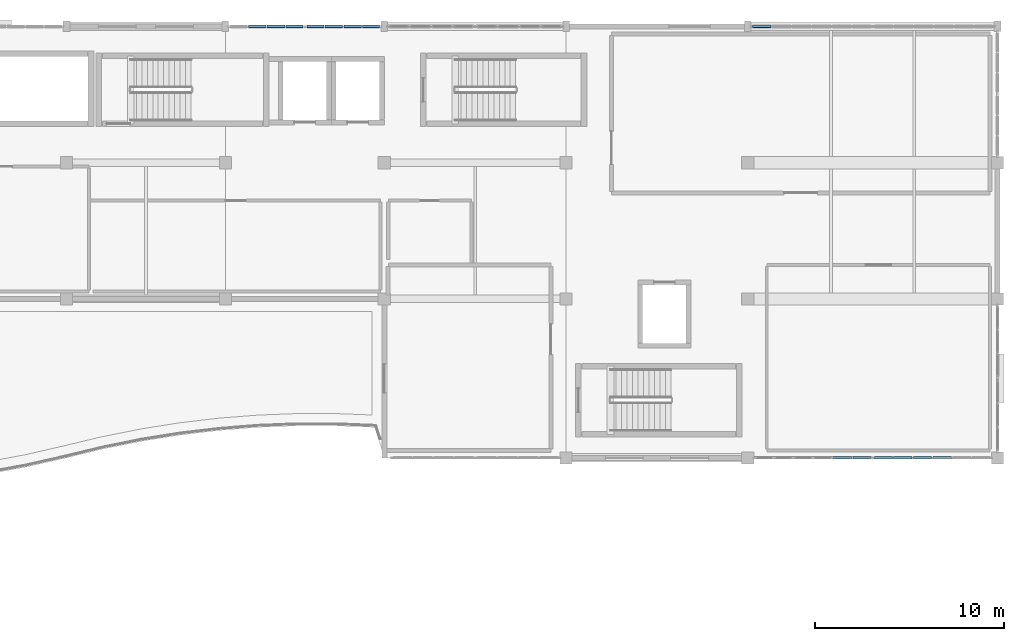
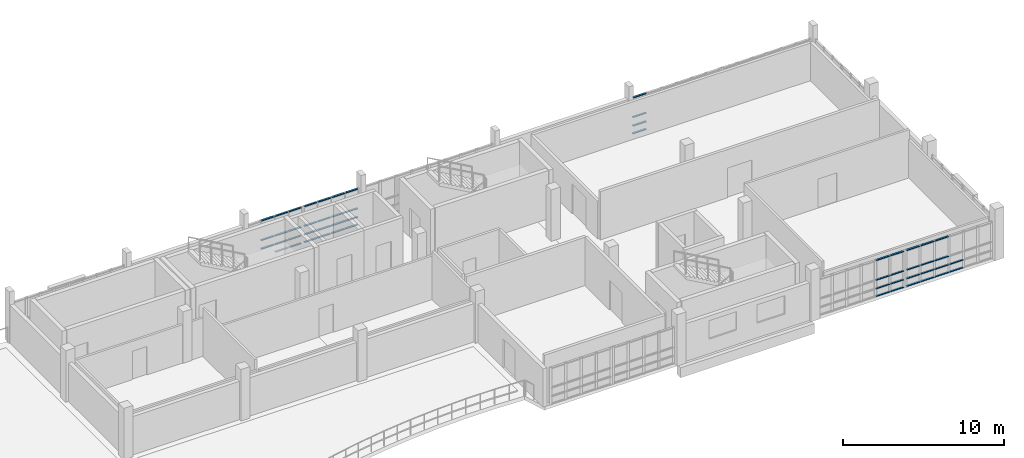
# One storey, part 15 of 25: 53 members, 5 elements without a shape of their own.
"""IFC4 building model written with IfcOpenShell, lengths in metres."""

from ifc_helpers import new_model, si_unit, direction, frame, origin, origin_2d, place, context, subcontext, project, spatial, hollow_rectangle, extrude, material, layer, layer_set, material_profile, profile_set, type_object, element, aggregate, save


model = new_model("IFC4")

# Units and contexts
model_context = context("Model", 3, precision=1e-05, world=origin(), true_north=direction((0.0, 1.0)))
body_context = subcontext(model_context, "Body", "Model", "MODEL_VIEW")
ifc_project = project(units=[si_unit("LENGTHUNIT", "METRE"), si_unit("AREAUNIT", "SQUARE_METRE"), si_unit("VOLUMEUNIT", "CUBIC_METRE"), si_unit("PLANEANGLEUNIT", "RADIAN"), si_unit("MASSUNIT", "GRAM", prefix="KILO")], contexts=[model_context])

# Site, building, storey
site_placement = place(None, origin())
site = spatial("IfcSite", under=ifc_project, at=site_placement, CompositionType="ELEMENT")
building_placement = place(site_placement, origin())
building = spatial("IfcBuilding", under=site, at=building_placement, Name="Kisaragi Civic Commons", CompositionType="ELEMENT")
storey_placement = place(building_placement, frame((0.0, 0.0, 13.5)))
storey = spatial("IfcBuildingStorey", under=building, at=storey_placement, Name="L03", CompositionType="ELEMENT", Elevation=13.5)

# Curtain wall, members
ifc_material = material(Name="Thermally broken anodized aluminium and low-E double glazing", Category="aluminium")
ifc_layer = layer(ifc_material, 0.179931640625, Name="Thermally broken anodized aluminium and low-E double glazing", Category="aluminium")
ifc_layer_set = layer_set([ifc_layer], Name="Thermally broken anodized aluminium and low-E double glazing")
curtain_wall_type = type_object("IfcCurtainWallType", Name="CW-01", PredefinedType="NOTDEFINED", material=ifc_layer_set)
curtain_wall_1_placement = place(storey_placement, origin())
curtain_wall_1 = element("IfcCurtainWall", 1, at=curtain_wall_1_placement, inside=storey, type_object=curtain_wall_type, Name="L03 curtain wall CW-01 CW-V4-L03-097", PredefinedType="NOTDEFINED")
ifc_material_profile = material_profile(ifc_material, hollow_rectangle(XDim=0.139892578125, YDim=0.06494140625, WallThickness=0.00439453125, InnerFilletRadius=0.00439453125, OuterFilletRadius=0.009033203125, at=origin_2d()), Name="CWT-65x140x4.5", Category="aluminium")
ifc_profile_set = profile_set([ifc_material_profile], Name="Thermally broken anodized aluminium and low-E double glazing")
member_type = type_object("IfcMemberType", Name="CWT-02", PredefinedType="USERDEFINED", material=ifc_profile_set)
member_1_placement = place(storey_placement, frame((106.81494140625, 118.800048828125, 0.64990234375), z_axis=(1.0, 0.0, 0.0), x_axis=(0.0, 1.0, 0.0)))
member_1 = element("IfcMember", 2, at=member_1_placement, type_object=member_type, Name="CW-01 transom 2.2", ObjectType="TRANSOM", PredefinedType="USERDEFINED", context=body_context, shape_type="SweptSolid", body=[
    extrude(hollow_rectangle(XDim=0.139892578125, YDim=0.06494140625, WallThickness=0.00439453125, InnerFilletRadius=0.00439453125, OuterFilletRadius=0.009033203125, at=origin_2d()), origin(), (0.0, 0.0, 1.0), 0.927490234375),
])
member_2_placement = place(storey_placement, frame((106.81494140625, 118.800048828125, 1.300048828125), z_axis=(1.0, 0.0, 0.0), x_axis=(0.0, 1.0, 0.0)))
member_2 = element("IfcMember", 3, at=member_2_placement, type_object=member_type, Name="CW-01 transom 2.3", ObjectType="TRANSOM", PredefinedType="USERDEFINED", context=body_context, shape_type="SweptSolid", body=[
    extrude(hollow_rectangle(XDim=0.139892578125, YDim=0.06494140625, WallThickness=0.00439453125, InnerFilletRadius=0.00439453125, OuterFilletRadius=0.009033203125, at=origin_2d()), origin(), (0.0, 0.0, 1.0), 0.927490234375),
])
member_3_placement = place(storey_placement, frame((106.81494140625, 118.800048828125, 2.784912109375), z_axis=(1.0, 0.0, 0.0), x_axis=(0.0, 1.0, 0.0)))
member_3 = element("IfcMember", 4, at=member_3_placement, type_object=member_type, Name="CW-01 transom 2.4", ObjectType="TRANSOM", PredefinedType="USERDEFINED", context=body_context, shape_type="SweptSolid", body=[
    extrude(hollow_rectangle(XDim=0.139892578125, YDim=0.06494140625, WallThickness=0.00439453125, InnerFilletRadius=0.00439453125, OuterFilletRadius=0.009033203125, at=origin_2d()), origin(), (0.0, 0.0, 1.0), 0.927490234375),
])
member_4_placement = place(storey_placement, frame((107.8076171875, 118.800048828125, 0.070068359375), z_axis=(1.0, 0.0, 0.0), x_axis=(0.0, 1.0, 0.0)))
member_4 = element("IfcMember", 5, at=member_4_placement, type_object=member_type, Name="CW-01 transom 3.1", ObjectType="TRANSOM", PredefinedType="USERDEFINED", context=body_context, shape_type="SweptSolid", body=[
    extrude(hollow_rectangle(XDim=0.139892578125, YDim=0.06494140625, WallThickness=0.00439453125, InnerFilletRadius=0.00439453125, OuterFilletRadius=0.009033203125, at=origin_2d()), origin(), (0.0, 0.0, 1.0), 0.927490234375),
])
member_5_placement = place(storey_placement, frame((107.8076171875, 118.800048828125, 0.64990234375), z_axis=(1.0, 0.0, 0.0), x_axis=(0.0, 1.0, 0.0)))
member_5 = element("IfcMember", 6, at=member_5_placement, type_object=member_type, Name="CW-01 transom 3.2", ObjectType="TRANSOM", PredefinedType="USERDEFINED", context=body_context, shape_type="SweptSolid", body=[
    extrude(hollow_rectangle(XDim=0.139892578125, YDim=0.06494140625, WallThickness=0.00439453125, InnerFilletRadius=0.00439453125, OuterFilletRadius=0.009033203125, at=origin_2d()), origin(), (0.0, 0.0, 1.0), 0.927490234375),
])
member_6_placement = place(storey_placement, frame((107.8076171875, 118.800048828125, 1.300048828125), z_axis=(1.0, 0.0, 0.0), x_axis=(0.0, 1.0, 0.0)))
member_6 = element("IfcMember", 7, at=member_6_placement, type_object=member_type, Name="CW-01 transom 3.3", ObjectType="TRANSOM", PredefinedType="USERDEFINED", context=body_context, shape_type="SweptSolid", body=[
    extrude(hollow_rectangle(XDim=0.139892578125, YDim=0.06494140625, WallThickness=0.00439453125, InnerFilletRadius=0.00439453125, OuterFilletRadius=0.009033203125, at=origin_2d()), origin(), (0.0, 0.0, 1.0), 0.927490234375),
])
member_7_placement = place(storey_placement, frame((107.8076171875, 118.800048828125, 2.784912109375), z_axis=(1.0, 0.0, 0.0), x_axis=(0.0, 1.0, 0.0)))
member_7 = element("IfcMember", 8, at=member_7_placement, type_object=member_type, Name="CW-01 transom 3.4", ObjectType="TRANSOM", PredefinedType="USERDEFINED", context=body_context, shape_type="SweptSolid", body=[
    extrude(hollow_rectangle(XDim=0.139892578125, YDim=0.06494140625, WallThickness=0.00439453125, InnerFilletRadius=0.00439453125, OuterFilletRadius=0.009033203125, at=origin_2d()), origin(), (0.0, 0.0, 1.0), 0.927490234375),
])
member_8_placement = place(storey_placement, frame((108.800048828125, 118.800048828125, 0.070068359375), z_axis=(1.0, 0.0, 0.0), x_axis=(0.0, 1.0, 0.0)))
member_8 = element("IfcMember", 9, at=member_8_placement, type_object=member_type, Name="CW-01 transom 4.1", ObjectType="TRANSOM", PredefinedType="USERDEFINED", context=body_context, shape_type="SweptSolid", body=[
    extrude(hollow_rectangle(XDim=0.139892578125, YDim=0.06494140625, WallThickness=0.00439453125, InnerFilletRadius=0.00439453125, OuterFilletRadius=0.009033203125, at=origin_2d()), origin(), (0.0, 0.0, 1.0), 0.89501953125),
])
member_9_placement = place(storey_placement, frame((108.800048828125, 118.800048828125, 0.64990234375), z_axis=(1.0, 0.0, 0.0), x_axis=(0.0, 1.0, 0.0)))
member_9 = element("IfcMember", 10, at=member_9_placement, type_object=member_type, Name="CW-01 transom 4.2", ObjectType="TRANSOM", PredefinedType="USERDEFINED", context=body_context, shape_type="SweptSolid", body=[
    extrude(hollow_rectangle(XDim=0.139892578125, YDim=0.06494140625, WallThickness=0.00439453125, InnerFilletRadius=0.00439453125, OuterFilletRadius=0.009033203125, at=origin_2d()), origin(), (0.0, 0.0, 1.0), 0.89501953125),
])
member_10_placement = place(storey_placement, frame((108.800048828125, 118.800048828125, 1.300048828125), z_axis=(1.0, 0.0, 0.0), x_axis=(0.0, 1.0, 0.0)))
member_10 = element("IfcMember", 11, at=member_10_placement, type_object=member_type, Name="CW-01 transom 4.3", ObjectType="TRANSOM", PredefinedType="USERDEFINED", context=body_context, shape_type="SweptSolid", body=[
    extrude(hollow_rectangle(XDim=0.139892578125, YDim=0.06494140625, WallThickness=0.00439453125, InnerFilletRadius=0.00439453125, OuterFilletRadius=0.009033203125, at=origin_2d()), origin(), (0.0, 0.0, 1.0), 0.89501953125),
])
member_11_placement = place(storey_placement, frame((108.800048828125, 118.800048828125, 2.784912109375), z_axis=(1.0, 0.0, 0.0), x_axis=(0.0, 1.0, 0.0)))
member_11 = element("IfcMember", 12, at=member_11_placement, type_object=member_type, Name="CW-01 transom 4.4", ObjectType="TRANSOM", PredefinedType="USERDEFINED", context=body_context, shape_type="SweptSolid", body=[
    extrude(hollow_rectangle(XDim=0.139892578125, YDim=0.06494140625, WallThickness=0.00439453125, InnerFilletRadius=0.00439453125, OuterFilletRadius=0.009033203125, at=origin_2d()), origin(), (0.0, 0.0, 1.0), 0.89501953125),
])
aggregate(curtain_wall_1, [member_1, member_2, member_3, member_4, member_5, member_6, member_7, member_8, member_9, member_10, member_11])

curtain_wall_2_placement = place(storey_placement, origin())
curtain_wall_2 = element("IfcCurtainWall", 13, at=curtain_wall_2_placement, inside=storey, type_object=curtain_wall_type, Name="L03 curtain wall CW-01 CW-V4-L03-098", PredefinedType="NOTDEFINED")
member_12_placement = place(storey_placement, frame((109.905029296875, 118.800048828125, 0.070068359375), z_axis=(1.0, 0.0, 0.0), x_axis=(0.0, 1.0, 0.0)))
member_12 = element("IfcMember", 14, at=member_12_placement, type_object=member_type, Name="CW-01 transom 1.1", ObjectType="TRANSOM", PredefinedType="USERDEFINED", context=body_context, shape_type="SweptSolid", body=[
    extrude(hollow_rectangle(XDim=0.139892578125, YDim=0.06494140625, WallThickness=0.00439453125, InnerFilletRadius=0.00439453125, OuterFilletRadius=0.009033203125, at=origin_2d()), origin(), (0.0, 0.0, 1.0), 0.89501953125),
])
member_13_placement = place(storey_placement, frame((109.905029296875, 118.800048828125, 0.64990234375), z_axis=(1.0, 0.0, 0.0), x_axis=(0.0, 1.0, 0.0)))
member_13 = element("IfcMember", 15, at=member_13_placement, type_object=member_type, Name="CW-01 transom 1.2", ObjectType="TRANSOM", PredefinedType="USERDEFINED", context=body_context, shape_type="SweptSolid", body=[
    extrude(hollow_rectangle(XDim=0.139892578125, YDim=0.06494140625, WallThickness=0.00439453125, InnerFilletRadius=0.00439453125, OuterFilletRadius=0.009033203125, at=origin_2d()), origin(), (0.0, 0.0, 1.0), 0.89501953125),
])
member_14_placement = place(storey_placement, frame((109.905029296875, 118.800048828125, 1.300048828125), z_axis=(1.0, 0.0, 0.0), x_axis=(0.0, 1.0, 0.0)))
member_14 = element("IfcMember", 16, at=member_14_placement, type_object=member_type, Name="CW-01 transom 1.3", ObjectType="TRANSOM", PredefinedType="USERDEFINED", context=body_context, shape_type="SweptSolid", body=[
    extrude(hollow_rectangle(XDim=0.139892578125, YDim=0.06494140625, WallThickness=0.00439453125, InnerFilletRadius=0.00439453125, OuterFilletRadius=0.009033203125, at=origin_2d()), origin(), (0.0, 0.0, 1.0), 0.89501953125),
])
member_15_placement = place(storey_placement, frame((109.905029296875, 118.800048828125, 2.784912109375), z_axis=(1.0, 0.0, 0.0), x_axis=(0.0, 1.0, 0.0)))
member_15 = element("IfcMember", 17, at=member_15_placement, type_object=member_type, Name="CW-01 transom 1.4", ObjectType="TRANSOM", PredefinedType="USERDEFINED", context=body_context, shape_type="SweptSolid", body=[
    extrude(hollow_rectangle(XDim=0.139892578125, YDim=0.06494140625, WallThickness=0.00439453125, InnerFilletRadius=0.00439453125, OuterFilletRadius=0.009033203125, at=origin_2d()), origin(), (0.0, 0.0, 1.0), 0.89501953125),
])
member_16_placement = place(storey_placement, frame((110.864990234375, 118.800048828125, 0.070068359375), z_axis=(1.0, 0.0, 0.0), x_axis=(0.0, 1.0, 0.0)))
member_16 = element("IfcMember", 18, at=member_16_placement, type_object=member_type, Name="CW-01 transom 2.1", ObjectType="TRANSOM", PredefinedType="USERDEFINED", context=body_context, shape_type="SweptSolid", body=[
    extrude(hollow_rectangle(XDim=0.139892578125, YDim=0.06494140625, WallThickness=0.00439453125, InnerFilletRadius=0.00439453125, OuterFilletRadius=0.009033203125, at=origin_2d()), origin(), (0.0, 0.0, 1.0), 0.927490234375),
])
member_17_placement = place(storey_placement, frame((110.864990234375, 118.800048828125, 0.64990234375), z_axis=(1.0, 0.0, 0.0), x_axis=(0.0, 1.0, 0.0)))
member_17 = element("IfcMember", 19, at=member_17_placement, type_object=member_type, Name="CW-01 transom 2.2", ObjectType="TRANSOM", PredefinedType="USERDEFINED", context=body_context, shape_type="SweptSolid", body=[
    extrude(hollow_rectangle(XDim=0.139892578125, YDim=0.06494140625, WallThickness=0.00439453125, InnerFilletRadius=0.00439453125, OuterFilletRadius=0.009033203125, at=origin_2d()), origin(), (0.0, 0.0, 1.0), 0.927490234375),
])
member_18_placement = place(storey_placement, frame((110.864990234375, 118.800048828125, 1.300048828125), z_axis=(1.0, 0.0, 0.0), x_axis=(0.0, 1.0, 0.0)))
member_18 = element("IfcMember", 20, at=member_18_placement, type_object=member_type, Name="CW-01 transom 2.3", ObjectType="TRANSOM", PredefinedType="USERDEFINED", context=body_context, shape_type="SweptSolid", body=[
    extrude(hollow_rectangle(XDim=0.139892578125, YDim=0.06494140625, WallThickness=0.00439453125, InnerFilletRadius=0.00439453125, OuterFilletRadius=0.009033203125, at=origin_2d()), origin(), (0.0, 0.0, 1.0), 0.927490234375),
])
member_19_placement = place(storey_placement, frame((110.864990234375, 118.800048828125, 2.784912109375), z_axis=(1.0, 0.0, 0.0), x_axis=(0.0, 1.0, 0.0)))
member_19 = element("IfcMember", 21, at=member_19_placement, type_object=member_type, Name="CW-01 transom 2.4", ObjectType="TRANSOM", PredefinedType="USERDEFINED", context=body_context, shape_type="SweptSolid", body=[
    extrude(hollow_rectangle(XDim=0.139892578125, YDim=0.06494140625, WallThickness=0.00439453125, InnerFilletRadius=0.00439453125, OuterFilletRadius=0.009033203125, at=origin_2d()), origin(), (0.0, 0.0, 1.0), 0.927490234375),
])
member_20_placement = place(storey_placement, frame((111.857421875, 118.800048828125, 0.070068359375), z_axis=(1.0, 0.0, 0.0), x_axis=(0.0, 1.0, 0.0)))
member_20 = element("IfcMember", 22, at=member_20_placement, type_object=member_type, Name="CW-01 transom 3.1", ObjectType="TRANSOM", PredefinedType="USERDEFINED", context=body_context, shape_type="SweptSolid", body=[
    extrude(hollow_rectangle(XDim=0.139892578125, YDim=0.06494140625, WallThickness=0.00439453125, InnerFilletRadius=0.00439453125, OuterFilletRadius=0.009033203125, at=origin_2d()), origin(), (0.0, 0.0, 1.0), 0.927490234375),
])
member_21_placement = place(storey_placement, frame((111.857421875, 118.800048828125, 0.64990234375), z_axis=(1.0, 0.0, 0.0), x_axis=(0.0, 1.0, 0.0)))
member_21 = element("IfcMember", 23, at=member_21_placement, type_object=member_type, Name="CW-01 transom 3.2", ObjectType="TRANSOM", PredefinedType="USERDEFINED", context=body_context, shape_type="SweptSolid", body=[
    extrude(hollow_rectangle(XDim=0.139892578125, YDim=0.06494140625, WallThickness=0.00439453125, InnerFilletRadius=0.00439453125, OuterFilletRadius=0.009033203125, at=origin_2d()), origin(), (0.0, 0.0, 1.0), 0.927490234375),
])
member_22_placement = place(storey_placement, frame((111.857421875, 118.800048828125, 1.300048828125), z_axis=(1.0, 0.0, 0.0), x_axis=(0.0, 1.0, 0.0)))
member_22 = element("IfcMember", 24, at=member_22_placement, type_object=member_type, Name="CW-01 transom 3.3", ObjectType="TRANSOM", PredefinedType="USERDEFINED", context=body_context, shape_type="SweptSolid", body=[
    extrude(hollow_rectangle(XDim=0.139892578125, YDim=0.06494140625, WallThickness=0.00439453125, InnerFilletRadius=0.00439453125, OuterFilletRadius=0.009033203125, at=origin_2d()), origin(), (0.0, 0.0, 1.0), 0.927490234375),
])
member_23_placement = place(storey_placement, frame((111.857421875, 118.800048828125, 2.784912109375), z_axis=(1.0, 0.0, 0.0), x_axis=(0.0, 1.0, 0.0)))
member_23 = element("IfcMember", 25, at=member_23_placement, type_object=member_type, Name="CW-01 transom 3.4", ObjectType="TRANSOM", PredefinedType="USERDEFINED", context=body_context, shape_type="SweptSolid", body=[
    extrude(hollow_rectangle(XDim=0.139892578125, YDim=0.06494140625, WallThickness=0.00439453125, InnerFilletRadius=0.00439453125, OuterFilletRadius=0.009033203125, at=origin_2d()), origin(), (0.0, 0.0, 1.0), 0.927490234375),
])
member_24_placement = place(storey_placement, frame((112.85009765625, 118.800048828125, 0.070068359375), z_axis=(1.0, 0.0, 0.0), x_axis=(0.0, 1.0, 0.0)))
member_24 = element("IfcMember", 26, at=member_24_placement, type_object=member_type, Name="CW-01 transom 4.1", ObjectType="TRANSOM", PredefinedType="USERDEFINED", context=body_context, shape_type="SweptSolid", body=[
    extrude(hollow_rectangle(XDim=0.139892578125, YDim=0.06494140625, WallThickness=0.00439453125, InnerFilletRadius=0.00439453125, OuterFilletRadius=0.009033203125, at=origin_2d()), origin(), (0.0, 0.0, 1.0), 0.89501953125),
])
member_25_placement = place(storey_placement, frame((112.85009765625, 118.800048828125, 0.64990234375), z_axis=(1.0, 0.0, 0.0), x_axis=(0.0, 1.0, 0.0)))
member_25 = element("IfcMember", 27, at=member_25_placement, type_object=member_type, Name="CW-01 transom 4.2", ObjectType="TRANSOM", PredefinedType="USERDEFINED", context=body_context, shape_type="SweptSolid", body=[
    extrude(hollow_rectangle(XDim=0.139892578125, YDim=0.06494140625, WallThickness=0.00439453125, InnerFilletRadius=0.00439453125, OuterFilletRadius=0.009033203125, at=origin_2d()), origin(), (0.0, 0.0, 1.0), 0.89501953125),
])
member_26_placement = place(storey_placement, frame((112.85009765625, 118.800048828125, 1.300048828125), z_axis=(1.0, 0.0, 0.0), x_axis=(0.0, 1.0, 0.0)))
member_26 = element("IfcMember", 28, at=member_26_placement, type_object=member_type, Name="CW-01 transom 4.3", ObjectType="TRANSOM", PredefinedType="USERDEFINED", context=body_context, shape_type="SweptSolid", body=[
    extrude(hollow_rectangle(XDim=0.139892578125, YDim=0.06494140625, WallThickness=0.00439453125, InnerFilletRadius=0.00439453125, OuterFilletRadius=0.009033203125, at=origin_2d()), origin(), (0.0, 0.0, 1.0), 0.89501953125),
])
member_27_placement = place(storey_placement, frame((112.85009765625, 118.800048828125, 2.784912109375), z_axis=(1.0, 0.0, 0.0), x_axis=(0.0, 1.0, 0.0)))
member_27 = element("IfcMember", 29, at=member_27_placement, type_object=member_type, Name="CW-01 transom 4.4", ObjectType="TRANSOM", PredefinedType="USERDEFINED", context=body_context, shape_type="SweptSolid", body=[
    extrude(hollow_rectangle(XDim=0.139892578125, YDim=0.06494140625, WallThickness=0.00439453125, InnerFilletRadius=0.00439453125, OuterFilletRadius=0.009033203125, at=origin_2d()), origin(), (0.0, 0.0, 1.0), 0.89501953125),
])
aggregate(curtain_wall_2, [member_12, member_13, member_14, member_15, member_16, member_17, member_18, member_19, member_20, member_21, member_22, member_23, member_24, member_25, member_26, member_27])

curtain_wall_3_placement = place(storey_placement, origin())
curtain_wall_3 = element("IfcCurtainWall", 30, at=curtain_wall_3_placement, inside=storey, type_object=curtain_wall_type, Name="L03 curtain wall CW-01 CW-V4-L03-101", PredefinedType="NOTDEFINED")
member_28_placement = place(storey_placement, frame((133.455078125, 118.800048828125, 0.070068359375), z_axis=(1.0, 0.0, 0.0), x_axis=(0.0, 1.0, 0.0)))
member_28 = element("IfcMember", 31, at=member_28_placement, type_object=member_type, Name="CW-01 transom 1.1", ObjectType="TRANSOM", PredefinedType="USERDEFINED", context=body_context, shape_type="SweptSolid", body=[
    extrude(hollow_rectangle(XDim=0.139892578125, YDim=0.06494140625, WallThickness=0.00439453125, InnerFilletRadius=0.00439453125, OuterFilletRadius=0.009033203125, at=origin_2d()), origin(), (0.0, 0.0, 1.0), 0.964111328125),
])
member_29_placement = place(storey_placement, frame((133.455078125, 118.800048828125, 0.64990234375), z_axis=(1.0, 0.0, 0.0), x_axis=(0.0, 1.0, 0.0)))
member_29 = element("IfcMember", 32, at=member_29_placement, type_object=member_type, Name="CW-01 transom 1.2", ObjectType="TRANSOM", PredefinedType="USERDEFINED", context=body_context, shape_type="SweptSolid", body=[
    extrude(hollow_rectangle(XDim=0.139892578125, YDim=0.06494140625, WallThickness=0.00439453125, InnerFilletRadius=0.00439453125, OuterFilletRadius=0.009033203125, at=origin_2d()), origin(), (0.0, 0.0, 1.0), 0.964111328125),
])
member_30_placement = place(storey_placement, frame((133.455078125, 118.800048828125, 1.300048828125), z_axis=(1.0, 0.0, 0.0), x_axis=(0.0, 1.0, 0.0)))
member_30 = element("IfcMember", 33, at=member_30_placement, type_object=member_type, Name="CW-01 transom 1.3", ObjectType="TRANSOM", PredefinedType="USERDEFINED", context=body_context, shape_type="SweptSolid", body=[
    extrude(hollow_rectangle(XDim=0.139892578125, YDim=0.06494140625, WallThickness=0.00439453125, InnerFilletRadius=0.00439453125, OuterFilletRadius=0.009033203125, at=origin_2d()), origin(), (0.0, 0.0, 1.0), 0.964111328125),
])
member_31_placement = place(storey_placement, frame((133.455078125, 118.800048828125, 2.784912109375), z_axis=(1.0, 0.0, 0.0), x_axis=(0.0, 1.0, 0.0)))
member_31 = element("IfcMember", 34, at=member_31_placement, type_object=member_type, Name="CW-01 transom 1.4", ObjectType="TRANSOM", PredefinedType="USERDEFINED", context=body_context, shape_type="SweptSolid", body=[
    extrude(hollow_rectangle(XDim=0.139892578125, YDim=0.06494140625, WallThickness=0.00439453125, InnerFilletRadius=0.00439453125, OuterFilletRadius=0.009033203125, at=origin_2d()), origin(), (0.0, 0.0, 1.0), 0.964111328125),
])
aggregate(curtain_wall_3, [member_28, member_29, member_30, member_31])

curtain_wall_4_placement = place(storey_placement, origin())
curtain_wall_4 = element("IfcCurtainWall", 35, at=curtain_wall_4_placement, inside=storey, type_object=curtain_wall_type, Name="L03 curtain wall CW-01 CW-V4-L03-107", PredefinedType="NOTDEFINED")
member_32_placement = place(storey_placement, frame((143.9541015625, 96.0, 0.070068359375), z_axis=(-1.0, 0.0, 0.0), x_axis=(0.0, -1.0, 0.0)))
member_32 = element("IfcMember", 36, at=member_32_placement, type_object=member_type, Name="CW-01 transom 3.1", ObjectType="TRANSOM", PredefinedType="USERDEFINED", context=body_context, shape_type="SweptSolid", body=[
    extrude(hollow_rectangle(XDim=0.139892578125, YDim=0.06494140625, WallThickness=0.00439453125, InnerFilletRadius=0.00439453125, OuterFilletRadius=0.009033203125, at=origin_2d()), origin(), (0.0, 0.0, 1.0), 0.9716796875),
])
member_33_placement = place(storey_placement, frame((143.9541015625, 96.0, 0.64990234375), z_axis=(-1.0, 0.0, 0.0), x_axis=(0.0, -1.0, 0.0)))
member_33 = element("IfcMember", 37, at=member_33_placement, type_object=member_type, Name="CW-01 transom 3.2", ObjectType="TRANSOM", PredefinedType="USERDEFINED", context=body_context, shape_type="SweptSolid", body=[
    extrude(hollow_rectangle(XDim=0.139892578125, YDim=0.06494140625, WallThickness=0.00439453125, InnerFilletRadius=0.00439453125, OuterFilletRadius=0.009033203125, at=origin_2d()), origin(), (0.0, 0.0, 1.0), 0.9716796875),
])
member_34_placement = place(storey_placement, frame((142.91748046875, 96.0, 0.070068359375), z_axis=(-1.0, 0.0, 0.0), x_axis=(0.0, -1.0, 0.0)))
member_34 = element("IfcMember", 38, at=member_34_placement, type_object=member_type, Name="CW-01 transom 4.1", ObjectType="TRANSOM", PredefinedType="USERDEFINED", context=body_context, shape_type="SweptSolid", body=[
    extrude(hollow_rectangle(XDim=0.139892578125, YDim=0.06494140625, WallThickness=0.00439453125, InnerFilletRadius=0.00439453125, OuterFilletRadius=0.009033203125, at=origin_2d()), origin(), (0.0, 0.0, 1.0), 0.9716796875),
])
member_35_placement = place(storey_placement, frame((142.91748046875, 96.0, 0.64990234375), z_axis=(-1.0, 0.0, 0.0), x_axis=(0.0, -1.0, 0.0)))
member_35 = element("IfcMember", 39, at=member_35_placement, type_object=member_type, Name="CW-01 transom 4.2", ObjectType="TRANSOM", PredefinedType="USERDEFINED", context=body_context, shape_type="SweptSolid", body=[
    extrude(hollow_rectangle(XDim=0.139892578125, YDim=0.06494140625, WallThickness=0.00439453125, InnerFilletRadius=0.00439453125, OuterFilletRadius=0.009033203125, at=origin_2d()), origin(), (0.0, 0.0, 1.0), 0.9716796875),
])
member_36_placement = place(storey_placement, frame((142.91748046875, 96.0, 1.300048828125), z_axis=(-1.0, 0.0, 0.0), x_axis=(0.0, -1.0, 0.0)))
member_36 = element("IfcMember", 40, at=member_36_placement, type_object=member_type, Name="CW-01 transom 4.3", ObjectType="TRANSOM", PredefinedType="USERDEFINED", context=body_context, shape_type="SweptSolid", body=[
    extrude(hollow_rectangle(XDim=0.139892578125, YDim=0.06494140625, WallThickness=0.00439453125, InnerFilletRadius=0.00439453125, OuterFilletRadius=0.009033203125, at=origin_2d()), origin(), (0.0, 0.0, 1.0), 0.9716796875),
])
member_37_placement = place(storey_placement, frame((142.91748046875, 96.0, 2.784912109375), z_axis=(-1.0, 0.0, 0.0), x_axis=(0.0, -1.0, 0.0)))
member_37 = element("IfcMember", 41, at=member_37_placement, type_object=member_type, Name="CW-01 transom 4.4", ObjectType="TRANSOM", PredefinedType="USERDEFINED", context=body_context, shape_type="SweptSolid", body=[
    extrude(hollow_rectangle(XDim=0.139892578125, YDim=0.06494140625, WallThickness=0.00439453125, InnerFilletRadius=0.00439453125, OuterFilletRadius=0.009033203125, at=origin_2d()), origin(), (0.0, 0.0, 1.0), 0.9716796875),
])
member_38_placement = place(storey_placement, frame((141.880859375, 96.0, 0.070068359375), z_axis=(-1.0, 0.0, 0.0), x_axis=(0.0, -1.0, 0.0)))
member_38 = element("IfcMember", 42, at=member_38_placement, type_object=member_type, Name="CW-01 transom 5.1", ObjectType="TRANSOM", PredefinedType="USERDEFINED", context=body_context, shape_type="SweptSolid", body=[
    extrude(hollow_rectangle(XDim=0.139892578125, YDim=0.06494140625, WallThickness=0.00439453125, InnerFilletRadius=0.00439453125, OuterFilletRadius=0.009033203125, at=origin_2d()), origin(), (0.0, 0.0, 1.0), 0.9716796875),
])
member_39_placement = place(storey_placement, frame((141.880859375, 96.0, 0.64990234375), z_axis=(-1.0, 0.0, 0.0), x_axis=(0.0, -1.0, 0.0)))
member_39 = element("IfcMember", 43, at=member_39_placement, type_object=member_type, Name="CW-01 transom 5.2", ObjectType="TRANSOM", PredefinedType="USERDEFINED", context=body_context, shape_type="SweptSolid", body=[
    extrude(hollow_rectangle(XDim=0.139892578125, YDim=0.06494140625, WallThickness=0.00439453125, InnerFilletRadius=0.00439453125, OuterFilletRadius=0.009033203125, at=origin_2d()), origin(), (0.0, 0.0, 1.0), 0.9716796875),
])
member_40_placement = place(storey_placement, frame((141.880859375, 96.0, 1.300048828125), z_axis=(-1.0, 0.0, 0.0), x_axis=(0.0, -1.0, 0.0)))
member_40 = element("IfcMember", 44, at=member_40_placement, type_object=member_type, Name="CW-01 transom 5.3", ObjectType="TRANSOM", PredefinedType="USERDEFINED", context=body_context, shape_type="SweptSolid", body=[
    extrude(hollow_rectangle(XDim=0.139892578125, YDim=0.06494140625, WallThickness=0.00439453125, InnerFilletRadius=0.00439453125, OuterFilletRadius=0.009033203125, at=origin_2d()), origin(), (0.0, 0.0, 1.0), 0.9716796875),
])
member_41_placement = place(storey_placement, frame((141.880859375, 96.0, 2.784912109375), z_axis=(-1.0, 0.0, 0.0), x_axis=(0.0, -1.0, 0.0)))
member_41 = element("IfcMember", 45, at=member_41_placement, type_object=member_type, Name="CW-01 transom 5.4", ObjectType="TRANSOM", PredefinedType="USERDEFINED", context=body_context, shape_type="SweptSolid", body=[
    extrude(hollow_rectangle(XDim=0.139892578125, YDim=0.06494140625, WallThickness=0.00439453125, InnerFilletRadius=0.00439453125, OuterFilletRadius=0.009033203125, at=origin_2d()), origin(), (0.0, 0.0, 1.0), 0.9716796875),
])
member_42_placement = place(storey_placement, frame((140.84423828125, 96.0, 0.070068359375), z_axis=(-1.0, 0.0, 0.0), x_axis=(0.0, -1.0, 0.0)))
member_42 = element("IfcMember", 46, at=member_42_placement, type_object=member_type, Name="CW-01 transom 6.1", ObjectType="TRANSOM", PredefinedType="USERDEFINED", context=body_context, shape_type="SweptSolid", body=[
    extrude(hollow_rectangle(XDim=0.139892578125, YDim=0.06494140625, WallThickness=0.00439453125, InnerFilletRadius=0.00439453125, OuterFilletRadius=0.009033203125, at=origin_2d()), origin(), (0.0, 0.0, 1.0), 0.939208984375),
])
member_43_placement = place(storey_placement, frame((140.84423828125, 96.0, 0.64990234375), z_axis=(-1.0, 0.0, 0.0), x_axis=(0.0, -1.0, 0.0)))
member_43 = element("IfcMember", 47, at=member_43_placement, type_object=member_type, Name="CW-01 transom 6.2", ObjectType="TRANSOM", PredefinedType="USERDEFINED", context=body_context, shape_type="SweptSolid", body=[
    extrude(hollow_rectangle(XDim=0.139892578125, YDim=0.06494140625, WallThickness=0.00439453125, InnerFilletRadius=0.00439453125, OuterFilletRadius=0.009033203125, at=origin_2d()), origin(), (0.0, 0.0, 1.0), 0.939208984375),
])
member_44_placement = place(storey_placement, frame((140.84423828125, 96.0, 1.300048828125), z_axis=(-1.0, 0.0, 0.0), x_axis=(0.0, -1.0, 0.0)))
member_44 = element("IfcMember", 48, at=member_44_placement, type_object=member_type, Name="CW-01 transom 6.3", ObjectType="TRANSOM", PredefinedType="USERDEFINED", context=body_context, shape_type="SweptSolid", body=[
    extrude(hollow_rectangle(XDim=0.139892578125, YDim=0.06494140625, WallThickness=0.00439453125, InnerFilletRadius=0.00439453125, OuterFilletRadius=0.009033203125, at=origin_2d()), origin(), (0.0, 0.0, 1.0), 0.939208984375),
])
member_45_placement = place(storey_placement, frame((140.84423828125, 96.0, 2.784912109375), z_axis=(-1.0, 0.0, 0.0), x_axis=(0.0, -1.0, 0.0)))
member_45 = element("IfcMember", 49, at=member_45_placement, type_object=member_type, Name="CW-01 transom 6.4", ObjectType="TRANSOM", PredefinedType="USERDEFINED", context=body_context, shape_type="SweptSolid", body=[
    extrude(hollow_rectangle(XDim=0.139892578125, YDim=0.06494140625, WallThickness=0.00439453125, InnerFilletRadius=0.00439453125, OuterFilletRadius=0.009033203125, at=origin_2d()), origin(), (0.0, 0.0, 1.0), 0.939208984375),
])
aggregate(curtain_wall_4, [member_32, member_33, member_34, member_35, member_36, member_37, member_38, member_39, member_40, member_41, member_42, member_43, member_44, member_45])

curtain_wall_5_placement = place(storey_placement, origin())
curtain_wall_5 = element("IfcCurtainWall", 50, at=curtain_wall_5_placement, inside=storey, type_object=curtain_wall_type, Name="L03 curtain wall CW-01 CW-V4-L03-108", PredefinedType="NOTDEFINED")
member_46_placement = place(storey_placement, frame((139.695068359375, 96.0, 0.070068359375), z_axis=(-1.0, 0.0, 0.0), x_axis=(0.0, -1.0, 0.0)))
member_46 = element("IfcMember", 51, at=member_46_placement, type_object=member_type, Name="CW-01 transom 1.1", ObjectType="TRANSOM", PredefinedType="USERDEFINED", context=body_context, shape_type="SweptSolid", body=[
    extrude(hollow_rectangle(XDim=0.139892578125, YDim=0.06494140625, WallThickness=0.00439453125, InnerFilletRadius=0.00439453125, OuterFilletRadius=0.009033203125, at=origin_2d()), origin(), (0.0, 0.0, 1.0), 0.939208984375),
])
member_47_placement = place(storey_placement, frame((139.695068359375, 96.0, 0.64990234375), z_axis=(-1.0, 0.0, 0.0), x_axis=(0.0, -1.0, 0.0)))
member_47 = element("IfcMember", 52, at=member_47_placement, type_object=member_type, Name="CW-01 transom 1.2", ObjectType="TRANSOM", PredefinedType="USERDEFINED", context=body_context, shape_type="SweptSolid", body=[
    extrude(hollow_rectangle(XDim=0.139892578125, YDim=0.06494140625, WallThickness=0.00439453125, InnerFilletRadius=0.00439453125, OuterFilletRadius=0.009033203125, at=origin_2d()), origin(), (0.0, 0.0, 1.0), 0.939208984375),
])
member_48_placement = place(storey_placement, frame((139.695068359375, 96.0, 1.300048828125), z_axis=(-1.0, 0.0, 0.0), x_axis=(0.0, -1.0, 0.0)))
member_48 = element("IfcMember", 53, at=member_48_placement, type_object=member_type, Name="CW-01 transom 1.3", ObjectType="TRANSOM", PredefinedType="USERDEFINED", context=body_context, shape_type="SweptSolid", body=[
    extrude(hollow_rectangle(XDim=0.139892578125, YDim=0.06494140625, WallThickness=0.00439453125, InnerFilletRadius=0.00439453125, OuterFilletRadius=0.009033203125, at=origin_2d()), origin(), (0.0, 0.0, 1.0), 0.939208984375),
])
member_49_placement = place(storey_placement, frame((139.695068359375, 96.0, 2.784912109375), z_axis=(-1.0, 0.0, 0.0), x_axis=(0.0, -1.0, 0.0)))
member_49 = element("IfcMember", 54, at=member_49_placement, type_object=member_type, Name="CW-01 transom 1.4", ObjectType="TRANSOM", PredefinedType="USERDEFINED", context=body_context, shape_type="SweptSolid", body=[
    extrude(hollow_rectangle(XDim=0.139892578125, YDim=0.06494140625, WallThickness=0.00439453125, InnerFilletRadius=0.00439453125, OuterFilletRadius=0.009033203125, at=origin_2d()), origin(), (0.0, 0.0, 1.0), 0.939208984375),
])
member_50_placement = place(storey_placement, frame((138.69091796875, 96.0, 0.070068359375), z_axis=(-1.0, 0.0, 0.0), x_axis=(0.0, -1.0, 0.0)))
member_50 = element("IfcMember", 55, at=member_50_placement, type_object=member_type, Name="CW-01 transom 2.1", ObjectType="TRANSOM", PredefinedType="USERDEFINED", context=body_context, shape_type="SweptSolid", body=[
    extrude(hollow_rectangle(XDim=0.139892578125, YDim=0.06494140625, WallThickness=0.00439453125, InnerFilletRadius=0.00439453125, OuterFilletRadius=0.009033203125, at=origin_2d()), origin(), (0.0, 0.0, 1.0), 0.9716796875),
])
member_51_placement = place(storey_placement, frame((138.69091796875, 96.0, 0.64990234375), z_axis=(-1.0, 0.0, 0.0), x_axis=(0.0, -1.0, 0.0)))
member_51 = element("IfcMember", 56, at=member_51_placement, type_object=member_type, Name="CW-01 transom 2.2", ObjectType="TRANSOM", PredefinedType="USERDEFINED", context=body_context, shape_type="SweptSolid", body=[
    extrude(hollow_rectangle(XDim=0.139892578125, YDim=0.06494140625, WallThickness=0.00439453125, InnerFilletRadius=0.00439453125, OuterFilletRadius=0.009033203125, at=origin_2d()), origin(), (0.0, 0.0, 1.0), 0.9716796875),
])
member_52_placement = place(storey_placement, frame((138.69091796875, 96.0, 1.300048828125), z_axis=(-1.0, 0.0, 0.0), x_axis=(0.0, -1.0, 0.0)))
member_52 = element("IfcMember", 57, at=member_52_placement, type_object=member_type, Name="CW-01 transom 2.3", ObjectType="TRANSOM", PredefinedType="USERDEFINED", context=body_context, shape_type="SweptSolid", body=[
    extrude(hollow_rectangle(XDim=0.139892578125, YDim=0.06494140625, WallThickness=0.00439453125, InnerFilletRadius=0.00439453125, OuterFilletRadius=0.009033203125, at=origin_2d()), origin(), (0.0, 0.0, 1.0), 0.9716796875),
])
member_53_placement = place(storey_placement, frame((138.69091796875, 96.0, 2.784912109375), z_axis=(-1.0, 0.0, 0.0), x_axis=(0.0, -1.0, 0.0)))
member_53 = element("IfcMember", 58, at=member_53_placement, type_object=member_type, Name="CW-01 transom 2.4", ObjectType="TRANSOM", PredefinedType="USERDEFINED", context=body_context, shape_type="SweptSolid", body=[
    extrude(hollow_rectangle(XDim=0.139892578125, YDim=0.06494140625, WallThickness=0.00439453125, InnerFilletRadius=0.00439453125, OuterFilletRadius=0.009033203125, at=origin_2d()), origin(), (0.0, 0.0, 1.0), 0.9716796875),
])
aggregate(curtain_wall_5, [member_46, member_47, member_48, member_49, member_50, member_51, member_52, member_53])

save(model, "model.ifc")
